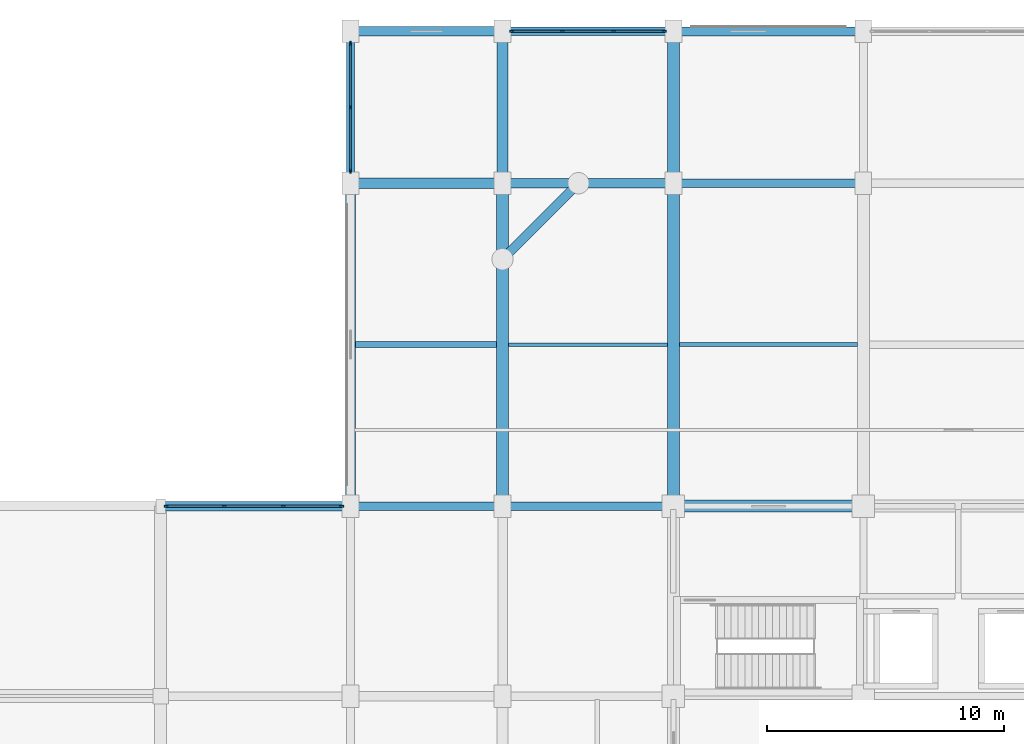
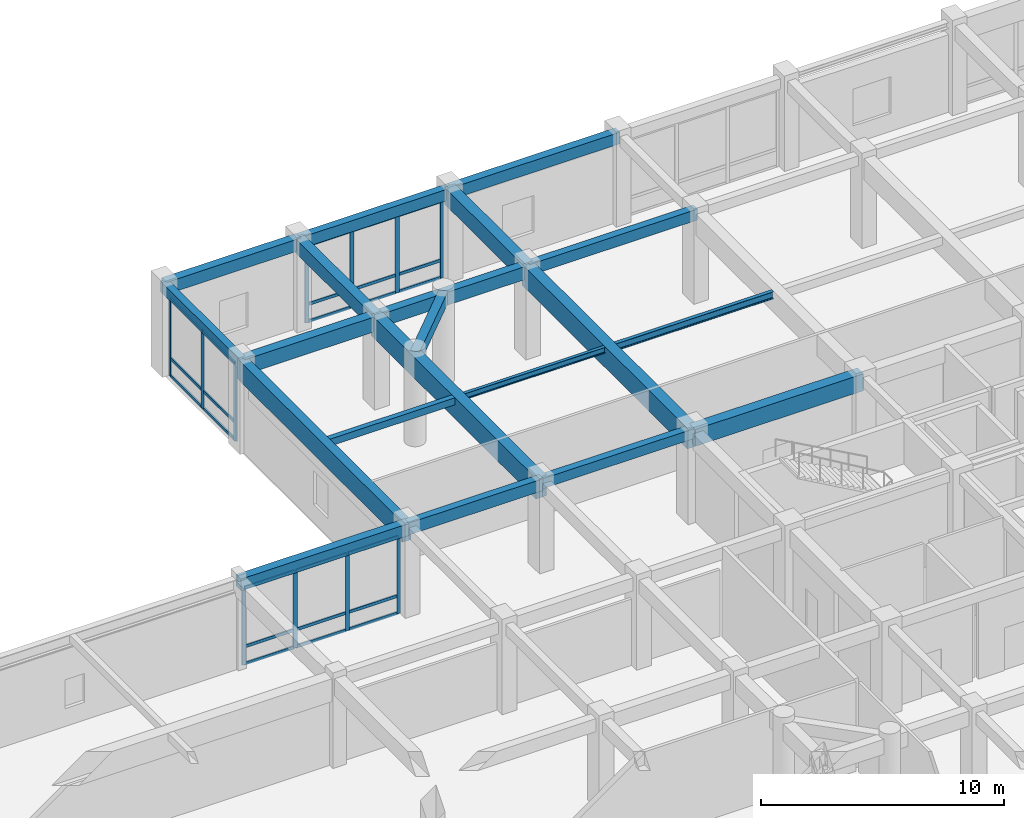
# One storey, part 24 of 61: 35 members, 20 beams, 3 elements without a shape of their own.
"""IFC4 building model written with IfcOpenShell, lengths in metres."""

from ifc_helpers import new_model, si_unit, direction, frame, origin, origin_2d, place, context, subcontext, project, spatial, rectangle, i_section, extrude, material, material_profile, profile_set, type_object, element, aggregate, save


model = new_model("IFC4")

# Units and contexts
model_context = context("Model", 3, precision=1e-05, world=origin(), true_north=direction((0.0, 1.0)))
body_context = subcontext(model_context, "Body", "Model", "MODEL_VIEW")
ifc_project = project(units=[si_unit("LENGTHUNIT", "METRE"), si_unit("AREAUNIT", "SQUARE_METRE"), si_unit("VOLUMEUNIT", "CUBIC_METRE"), si_unit("PLANEANGLEUNIT", "RADIAN"), si_unit("MASSUNIT", "GRAM", prefix="KILO")], contexts=[model_context])

# Site, building, storey
site_placement = place(None, origin())
site = spatial("IfcSite", under=ifc_project, at=site_placement, CompositionType="ELEMENT")
building_placement = place(site_placement, origin())
building = spatial("IfcBuilding", under=site, at=building_placement, Name="Vellmiral Cinema and Media Centre", CompositionType="ELEMENT")
storey_placement = place(building_placement, frame((0.0, 0.0, 10.800048828125)))
storey = spatial("IfcBuildingStorey", under=building, at=storey_placement, Name="L02", CompositionType="ELEMENT", Elevation=10.800048828125)

# Beams
ifc_material_1 = material(Name="Concrete C40/50", Category="concrete")
ifc_material_profile_1 = material_profile(ifc_material_1, rectangle(XDim=0.35009765625, YDim=0.5, at=origin_2d()), Name="RC 350x500")
ifc_profile_set_1 = profile_set([ifc_material_profile_1], Name="Concrete C40/50")
beam_type_1 = type_object("IfcBeamType", Name="BM-RC-350x500", PredefinedType="BEAM", material=ifc_profile_set_1)
beam_1_placement = place(storey_placement, frame((116.800048828125, 95.199951171875, 4.244873046875), z_axis=(1.0, 0.0, 0.0), x_axis=(0.0, 1.0, 0.0)))
element("IfcBeam", 1, at=beam_1_placement, inside=storey, type_object=beam_type_1, Name="Grid Beam L02-X080", PredefinedType="BEAM", context=body_context, shape_type="SweptSolid", body=[
    extrude(rectangle(XDim=0.35009765625, YDim=0.5, at=origin_2d()), origin(), (0.0, 0.0, 1.0), 7.199951171875),
])
ifc_material_2 = material(Name="Concrete C40/50", Category="concrete")
ifc_material_profile_2 = material_profile(ifc_material_2, rectangle(XDim=0.35009765625, YDim=0.550048828125, at=origin_2d()), Name="RC 350x550")
ifc_profile_set_2 = profile_set([ifc_material_profile_2], Name="Concrete C40/50")
beam_type_2 = type_object("IfcBeamType", Name="BM-RC-350x550", PredefinedType="BEAM", material=ifc_profile_set_2)
beam_2_placement = place(storey_placement, frame((124.0, 108.800048828125, 4.219970703125), z_axis=(1.0, 0.0, 0.0), x_axis=(0.0, 1.0, 0.0)))
element("IfcBeam", 2, at=beam_2_placement, inside=storey, type_object=beam_type_2, Name="Grid Beam L02-X088", PredefinedType="BEAM", context=body_context, shape_type="SweptSolid", body=[
    extrude(rectangle(XDim=0.35009765625, YDim=0.550048828125, at=origin_2d()), origin(), (0.0, 0.0, 1.0), 8.0),
])
ifc_material_3 = material(Name="Concrete C40/50", Category="concrete")
ifc_material_profile_3 = material_profile(ifc_material_3, rectangle(XDim=0.35009765625, YDim=0.60009765625, at=origin_2d()), Name="RC 350x600")
ifc_profile_set_3 = profile_set([ifc_material_profile_3], Name="Concrete C40/50")
beam_type_3 = type_object("IfcBeamType", Name="BM-RC-350x600", PredefinedType="BEAM", material=ifc_profile_set_3)
beam_3_placement = place(storey_placement, frame((110.39990234375, 95.199951171875, 4.195068359375), z_axis=(1.0, 0.0, 0.0), x_axis=(0.0, 1.0, 0.0)))
element("IfcBeam", 3, at=beam_3_placement, inside=storey, type_object=beam_type_3, Name="Grid Beam L02-X079", PredefinedType="BEAM", context=body_context, shape_type="SweptSolid", body=[
    extrude(rectangle(XDim=0.35009765625, YDim=0.60009765625, at=origin_2d()), origin(), (0.0, 0.0, 1.0), 6.400146484375),
])
ifc_material_4 = material(Name="Concrete C40/50", Category="concrete")
ifc_material_profile_4 = material_profile(ifc_material_4, rectangle(XDim=0.39990234375, YDim=0.64990234375, at=origin_2d()), Name="RC 400x650")
ifc_profile_set_4 = profile_set([ifc_material_profile_4], Name="Concrete C40/50")
beam_type_4 = type_object("IfcBeamType", Name="BM-RC-400x650", PredefinedType="BEAM", material=ifc_profile_set_4)
beam_4_placement = place(storey_placement, frame((116.800048828125, 108.800048828125, 4.169921875), z_axis=(1.0, 0.0, 0.0), x_axis=(0.0, 1.0, 0.0)))
element("IfcBeam", 4, at=beam_4_placement, inside=storey, type_object=beam_type_4, Name="Grid Beam L02-X087", PredefinedType="BEAM", context=body_context, shape_type="SweptSolid", body=[
    extrude(rectangle(XDim=0.39990234375, YDim=0.64990234375, at=origin_2d()), origin(), (0.0, 0.0, 1.0), 7.199951171875),
])
ifc_material_5 = material(Name="Concrete C40/50", Category="concrete")
ifc_material_profile_5 = material_profile(ifc_material_5, rectangle(XDim=0.449951171875, YDim=0.699951171875, at=origin_2d()), Name="RC 450x700")
ifc_profile_set_5 = profile_set([ifc_material_profile_5], Name="Concrete C40/50")
beam_type_5 = type_object("IfcBeamType", Name="BM-RC-450x700", PredefinedType="BEAM", material=ifc_profile_set_5)
beam_5_placement = place(storey_placement, frame((116.800048828125, 108.800048828125, 4.14501953125), z_axis=(0.0, 1.0, 0.0), x_axis=(-1.0, 0.0, 0.0)))
element("IfcBeam", 5, at=beam_5_placement, inside=storey, type_object=beam_type_5, Name="Grid Beam L02-Y153", PredefinedType="BEAM", context=body_context, shape_type="SweptSolid", body=[
    extrude(rectangle(XDim=0.449951171875, YDim=0.699951171875, at=origin_2d()), origin(), (0.0, 0.0, 1.0), 6.39990234375),
])
ifc_material_6 = material(Name="Concrete C40/50", Category="concrete")
ifc_material_profile_6 = material_profile(ifc_material_6, rectangle(XDim=0.449951171875, YDim=0.75, at=origin_2d()), Name="RC 450x750")
ifc_profile_set_6 = profile_set([ifc_material_profile_6], Name="Concrete C40/50")
beam_type_6 = type_object("IfcBeamType", Name="BM-RC-450x750", PredefinedType="BEAM", material=ifc_profile_set_6)
beam_6_placement = place(storey_placement, frame((110.39990234375, 108.800048828125, 4.119873046875), z_axis=(1.0, 0.0, 0.0), x_axis=(0.0, 1.0, 0.0)))
element("IfcBeam", 6, at=beam_6_placement, inside=storey, type_object=beam_type_6, Name="Grid Beam L02-X086", PredefinedType="BEAM", context=body_context, shape_type="SweptSolid", body=[
    extrude(rectangle(XDim=0.449951171875, YDim=0.75, at=origin_2d()), origin(), (0.0, 0.0, 1.0), 6.400146484375),
])
ifc_material_7 = material(Name="Concrete C40/50", Category="concrete")
ifc_material_profile_7 = material_profile(ifc_material_7, rectangle(XDim=0.5, YDim=0.85009765625, at=origin_2d()), Name="RC 500x850")
ifc_profile_set_7 = profile_set([ifc_material_profile_7], Name="Concrete C40/50")
beam_type_7 = type_object("IfcBeamType", Name="BM-RC-500x850", PredefinedType="BEAM", material=ifc_profile_set_7)
beam_7_placement = place(storey_placement, frame((124.0, 95.199951171875, 4.070068359375), z_axis=(1.0, 0.0, 0.0), x_axis=(0.0, 1.0, 0.0)))
element("IfcBeam", 7, at=beam_7_placement, inside=storey, type_object=beam_type_7, Name="Grid Beam L02-X081", PredefinedType="BEAM", context=body_context, shape_type="SweptSolid", body=[
    extrude(rectangle(XDim=0.5, YDim=0.85009765625, at=origin_2d()), origin(), (0.0, 0.0, 1.0), 8.0),
])
beam_8_placement = place(storey_placement, frame((124.0, 108.800048828125, 4.070068359375), z_axis=(0.0, 1.0, 0.0), x_axis=(-1.0, 0.0, 0.0)))
element("IfcBeam", 8, at=beam_8_placement, inside=storey, type_object=beam_type_7, Name="Grid Beam L02-Y161", PredefinedType="BEAM", context=body_context, shape_type="SweptSolid", body=[
    extrude(rectangle(XDim=0.5, YDim=0.85009765625, at=origin_2d()), origin(), (0.0, 0.0, 1.0), 6.39990234375),
])
ifc_material_8 = material(Name="Concrete C40/50", Category="concrete")
ifc_material_profile_8 = material_profile(ifc_material_8, rectangle(XDim=0.5, YDim=1.050048828125, at=origin_2d()), Name="RC 500x1050")
ifc_profile_set_8 = profile_set([ifc_material_profile_8], Name="Concrete C40/50")
beam_type_8 = type_object("IfcBeamType", Name="BM-RCG-500x1050", PredefinedType="BEAM", material=ifc_profile_set_8)
for number, where, z_axis, x_axis, name in (
    (9, (116.800048828125, 95.199951171875, 3.969970703125), (0.0, 1.0, 0.0), (-1.0, 0.0, 0.0), "Grid Beam L02-Y152"),
    (10, (124.0, 95.199951171875, 3.969970703125), (0.0, 1.0, 0.0), (-1.0, 0.0, 0.0), "Grid Beam L02-Y160"),
):
    element("IfcBeam", number, at=place(storey_placement, frame(where, z_axis=z_axis, x_axis=x_axis)), inside=storey, type_object=beam_type_8, Name=name, PredefinedType="BEAM", context=body_context, shape_type="SweptSolid", body=[
        extrude(rectangle(XDim=0.5, YDim=1.050048828125, at=origin_2d()), origin(), (0.0, 0.0, 1.0), 13.60009765625),
    ])

# Curtain wall, members
ifc_material_9 = material(Name="Thermally Broken Aluminium and Triple Glazing", Category="aluminium")
curtain_wall_type = type_object("IfcCurtainWallType", Name="CW-LIB-BAY", PredefinedType="USERDEFINED", material=ifc_material_9)
curtain_wall_1_placement = place(storey_placement, origin())
curtain_wall_1 = element("IfcCurtainWall", 11, at=curtain_wall_1_placement, inside=storey, type_object=curtain_wall_type, Name="Curtain Wall L02-B057", ObjectType="STICK CURTAIN WALL", PredefinedType="USERDEFINED")
ifc_material_10 = material(Name="Thermally Broken Anodised Aluminium", Category="aluminium")
ifc_material_profile_9 = material_profile(ifc_material_10, rectangle(XDim=0.070068359375, YDim=0.179931640625, at=origin_2d()), Name="MULL 70x180")
ifc_profile_set_9 = profile_set([ifc_material_profile_9], Name="Thermally Broken Anodised Aluminium")
member_type_1 = type_object("IfcMemberType", Name="CWM-70x180", PredefinedType="MULLION", material=ifc_profile_set_9)
member_1_placement = place(storey_placement, frame((123.614990234375, 115.199951171875, 0.0), z_axis=(0.0, 0.0, 1.0), x_axis=(0.0, -1.0, 0.0)))
member_1 = element("IfcMember", 12, at=member_1_placement, type_object=member_type_1, Name="CW-03 mullion 1", PredefinedType="MULLION", context=body_context, shape_type="SweptSolid", body=[
    extrude(rectangle(XDim=0.070068359375, YDim=0.179931640625, at=origin_2d()), origin(), (0.0, 0.0, 1.0), 3.89990234375),
])
member_2_placement = place(storey_placement, frame((121.4833984375, 115.199951171875, 0.0), z_axis=(0.0, 0.0, 1.0), x_axis=(0.0, -1.0, 0.0)))
member_2 = element("IfcMember", 13, at=member_2_placement, type_object=member_type_1, Name="CW-03 mullion 2", PredefinedType="MULLION", context=body_context, shape_type="SweptSolid", body=[
    extrude(rectangle(XDim=0.070068359375, YDim=0.179931640625, at=origin_2d()), origin(), (0.0, 0.0, 1.0), 3.89990234375),
])
member_3_placement = place(storey_placement, frame((119.316650390625, 115.199951171875, 0.0), z_axis=(0.0, 0.0, 1.0), x_axis=(0.0, -1.0, 0.0)))
member_3 = element("IfcMember", 14, at=member_3_placement, type_object=member_type_1, Name="CW-03 mullion 3", PredefinedType="MULLION", context=body_context, shape_type="SweptSolid", body=[
    extrude(rectangle(XDim=0.070068359375, YDim=0.179931640625, at=origin_2d()), origin(), (0.0, 0.0, 1.0), 3.89990234375),
])
member_4_placement = place(storey_placement, frame((117.18505859375, 115.199951171875, 0.0), z_axis=(0.0, 0.0, 1.0), x_axis=(0.0, -1.0, 0.0)))
member_4 = element("IfcMember", 15, at=member_4_placement, type_object=member_type_1, Name="CW-03 mullion 4", PredefinedType="MULLION", context=body_context, shape_type="SweptSolid", body=[
    extrude(rectangle(XDim=0.070068359375, YDim=0.179931640625, at=origin_2d()), origin(), (0.0, 0.0, 1.0), 3.89990234375),
])

curtain_wall_2_placement = place(storey_placement, origin())
curtain_wall_2 = element("IfcCurtainWall", 16, at=curtain_wall_2_placement, inside=storey, type_object=curtain_wall_type, Name="Curtain Wall L02-B059", ObjectType="STICK CURTAIN WALL", PredefinedType="USERDEFINED")
member_5_placement = place(storey_placement, frame((110.39990234375, 114.68994140625, 0.0), z_axis=(0.0, 0.0, 1.0), x_axis=(1.0, 0.0, 0.0)))
member_5 = element("IfcMember", 17, at=member_5_placement, type_object=member_type_1, Name="CW-03 mullion 1", PredefinedType="MULLION", context=body_context, shape_type="SweptSolid", body=[
    extrude(rectangle(XDim=0.070068359375, YDim=0.179931640625, at=origin_2d()), origin(), (0.0, 0.0, 1.0), 3.89990234375),
])
member_6_placement = place(storey_placement, frame((110.39990234375, 112.0, 0.0), z_axis=(0.0, 0.0, 1.0), x_axis=(1.0, 0.0, 0.0)))
member_6 = element("IfcMember", 18, at=member_6_placement, type_object=member_type_1, Name="CW-03 mullion 2", PredefinedType="MULLION", context=body_context, shape_type="SweptSolid", body=[
    extrude(rectangle(XDim=0.070068359375, YDim=0.179931640625, at=origin_2d()), origin(), (0.0, 0.0, 1.0), 3.89990234375),
])
member_7_placement = place(storey_placement, frame((110.39990234375, 109.31005859375, 0.0), z_axis=(0.0, 0.0, 1.0), x_axis=(1.0, 0.0, 0.0)))
member_7 = element("IfcMember", 19, at=member_7_placement, type_object=member_type_1, Name="CW-03 mullion 3", PredefinedType="MULLION", context=body_context, shape_type="SweptSolid", body=[
    extrude(rectangle(XDim=0.070068359375, YDim=0.179931640625, at=origin_2d()), origin(), (0.0, 0.0, 1.0), 3.89990234375),
])

curtain_wall_3_placement = place(storey_placement, origin())
curtain_wall_3 = element("IfcCurtainWall", 20, at=curtain_wall_3_placement, inside=storey, type_object=curtain_wall_type, Name="Curtain Wall L02-B061", ObjectType="STICK CURTAIN WALL", PredefinedType="USERDEFINED")
member_8_placement = place(storey_placement, frame((110.014892578125, 95.199951171875, 0.0), z_axis=(0.0, 0.0, 1.0), x_axis=(0.0, -1.0, 0.0)))
member_8 = element("IfcMember", 21, at=member_8_placement, type_object=member_type_1, Name="CW-03 mullion 1", PredefinedType="MULLION", context=body_context, shape_type="SweptSolid", body=[
    extrude(rectangle(XDim=0.070068359375, YDim=0.179931640625, at=origin_2d()), origin(), (0.0, 0.0, 1.0), 3.885009765625),
])
member_9_placement = place(storey_placement, frame((107.566650390625, 95.199951171875, 0.0), z_axis=(0.0, 0.0, 1.0), x_axis=(0.0, -1.0, 0.0)))
member_9 = element("IfcMember", 22, at=member_9_placement, type_object=member_type_1, Name="CW-03 mullion 2", PredefinedType="MULLION", context=body_context, shape_type="SweptSolid", body=[
    extrude(rectangle(XDim=0.070068359375, YDim=0.179931640625, at=origin_2d()), origin(), (0.0, 0.0, 1.0), 3.885009765625),
])
member_10_placement = place(storey_placement, frame((105.083251953125, 95.199951171875, 0.0), z_axis=(0.0, 0.0, 1.0), x_axis=(0.0, -1.0, 0.0)))
member_10 = element("IfcMember", 23, at=member_10_placement, type_object=member_type_1, Name="CW-03 mullion 3", PredefinedType="MULLION", context=body_context, shape_type="SweptSolid", body=[
    extrude(rectangle(XDim=0.070068359375, YDim=0.179931640625, at=origin_2d()), origin(), (0.0, 0.0, 1.0), 3.885009765625),
])
member_11_placement = place(storey_placement, frame((102.635009765625, 95.199951171875, 0.0), z_axis=(0.0, 0.0, 1.0), x_axis=(0.0, -1.0, 0.0)))
member_11 = element("IfcMember", 24, at=member_11_placement, type_object=member_type_1, Name="CW-03 mullion 4", PredefinedType="MULLION", context=body_context, shape_type="SweptSolid", body=[
    extrude(rectangle(XDim=0.070068359375, YDim=0.179931640625, at=origin_2d()), origin(), (0.0, 0.0, 1.0), 3.885009765625),
])

# Member
ifc_material_11 = material(Name="Thermally Broken Anodised Aluminium", Category="aluminium")
ifc_material_profile_10 = material_profile(ifc_material_11, rectangle(XDim=0.070068359375, YDim=0.14990234375, at=origin_2d()), Name="MULL 70x150")
ifc_profile_set_10 = profile_set([ifc_material_profile_10], Name="Thermally Broken Anodised Aluminium")
member_type_2 = type_object("IfcMemberType", Name="CWT-70x150", PredefinedType="USERDEFINED", material=ifc_profile_set_10)
member_12_placement = place(storey_placement, frame((123.580078125, 115.199951171875, 0.034912109375), z_axis=(-1.0, 0.0, 0.0), x_axis=(0.0, -1.0, 0.0)))
member_12 = element("IfcMember", 25, at=member_12_placement, type_object=member_type_2, Name="CW-03 transom 1.1", ObjectType="TRANSOM", PredefinedType="USERDEFINED", context=body_context, shape_type="SweptSolid", body=[
    extrude(rectangle(XDim=0.070068359375, YDim=0.14990234375, at=origin_2d()), origin(), (0.0, 0.0, 1.0), 2.061767578125),
])

member_13_placement = place(storey_placement, frame((123.580078125, 115.199951171875, 0.89990234375), z_axis=(-1.0, 0.0, 0.0), x_axis=(0.0, -1.0, 0.0)))
member_13 = element("IfcMember", 26, at=member_13_placement, type_object=member_type_2, Name="CW-03 transom 1.2", ObjectType="TRANSOM", PredefinedType="USERDEFINED", context=body_context, shape_type="SweptSolid", body=[
    extrude(rectangle(XDim=0.070068359375, YDim=0.14990234375, at=origin_2d()), origin(), (0.0, 0.0, 1.0), 2.061767578125),
])

member_14_placement = place(storey_placement, frame((123.580078125, 115.199951171875, 3.864990234375), z_axis=(-1.0, 0.0, 0.0), x_axis=(0.0, -1.0, 0.0)))
member_14 = element("IfcMember", 27, at=member_14_placement, type_object=member_type_2, Name="CW-03 transom 1.3", ObjectType="TRANSOM", PredefinedType="USERDEFINED", context=body_context, shape_type="SweptSolid", body=[
    extrude(rectangle(XDim=0.070068359375, YDim=0.14990234375, at=origin_2d()), origin(), (0.0, 0.0, 1.0), 2.061767578125),
])

member_15_placement = place(storey_placement, frame((121.4482421875, 115.199951171875, 0.034912109375), z_axis=(-1.0, 0.0, 0.0), x_axis=(0.0, -1.0, 0.0)))
member_15 = element("IfcMember", 28, at=member_15_placement, type_object=member_type_2, Name="CW-03 transom 2.1", ObjectType="TRANSOM", PredefinedType="USERDEFINED", context=body_context, shape_type="SweptSolid", body=[
    extrude(rectangle(XDim=0.070068359375, YDim=0.14990234375, at=origin_2d()), origin(), (0.0, 0.0, 1.0), 2.0966796875),
])

member_16_placement = place(storey_placement, frame((121.4482421875, 115.199951171875, 0.89990234375), z_axis=(-1.0, 0.0, 0.0), x_axis=(0.0, -1.0, 0.0)))
member_16 = element("IfcMember", 29, at=member_16_placement, type_object=member_type_2, Name="CW-03 transom 2.2", ObjectType="TRANSOM", PredefinedType="USERDEFINED", context=body_context, shape_type="SweptSolid", body=[
    extrude(rectangle(XDim=0.070068359375, YDim=0.14990234375, at=origin_2d()), origin(), (0.0, 0.0, 1.0), 2.0966796875),
])

member_17_placement = place(storey_placement, frame((121.4482421875, 115.199951171875, 3.864990234375), z_axis=(-1.0, 0.0, 0.0), x_axis=(0.0, -1.0, 0.0)))
member_17 = element("IfcMember", 30, at=member_17_placement, type_object=member_type_2, Name="CW-03 transom 2.3", ObjectType="TRANSOM", PredefinedType="USERDEFINED", context=body_context, shape_type="SweptSolid", body=[
    extrude(rectangle(XDim=0.070068359375, YDim=0.14990234375, at=origin_2d()), origin(), (0.0, 0.0, 1.0), 2.0966796875),
])

member_18_placement = place(storey_placement, frame((119.28173828125, 115.199951171875, 0.034912109375), z_axis=(-1.0, 0.0, 0.0), x_axis=(0.0, -1.0, 0.0)))
member_18 = element("IfcMember", 31, at=member_18_placement, type_object=member_type_2, Name="CW-03 transom 3.1", ObjectType="TRANSOM", PredefinedType="USERDEFINED", context=body_context, shape_type="SweptSolid", body=[
    extrude(rectangle(XDim=0.070068359375, YDim=0.14990234375, at=origin_2d()), origin(), (0.0, 0.0, 1.0), 2.061767578125),
])

member_19_placement = place(storey_placement, frame((119.28173828125, 115.199951171875, 0.89990234375), z_axis=(-1.0, 0.0, 0.0), x_axis=(0.0, -1.0, 0.0)))
member_19 = element("IfcMember", 32, at=member_19_placement, type_object=member_type_2, Name="CW-03 transom 3.2", ObjectType="TRANSOM", PredefinedType="USERDEFINED", context=body_context, shape_type="SweptSolid", body=[
    extrude(rectangle(XDim=0.070068359375, YDim=0.14990234375, at=origin_2d()), origin(), (0.0, 0.0, 1.0), 2.061767578125),
])

member_20_placement = place(storey_placement, frame((119.28173828125, 115.199951171875, 3.864990234375), z_axis=(-1.0, 0.0, 0.0), x_axis=(0.0, -1.0, 0.0)))
member_20 = element("IfcMember", 33, at=member_20_placement, type_object=member_type_2, Name="CW-03 transom 3.3", ObjectType="TRANSOM", PredefinedType="USERDEFINED", context=body_context, shape_type="SweptSolid", body=[
    extrude(rectangle(XDim=0.070068359375, YDim=0.14990234375, at=origin_2d()), origin(), (0.0, 0.0, 1.0), 2.061767578125),
])

aggregate(curtain_wall_1, [member_1, member_2, member_3, member_4, member_12, member_13, member_14, member_15, member_16, member_17, member_18, member_19, member_20])

member_21_placement = place(storey_placement, frame((110.39990234375, 114.655029296875, 0.034912109375), z_axis=(0.0, -1.0, 0.0), x_axis=(1.0, 0.0, 0.0)))
member_21 = element("IfcMember", 34, at=member_21_placement, type_object=member_type_2, Name="CW-03 transom 1.1", ObjectType="TRANSOM", PredefinedType="USERDEFINED", context=body_context, shape_type="SweptSolid", body=[
    extrude(rectangle(XDim=0.070068359375, YDim=0.14990234375, at=origin_2d()), origin(), (0.0, 0.0, 1.0), 2.6201171875),
])

member_22_placement = place(storey_placement, frame((110.39990234375, 114.655029296875, 0.89990234375), z_axis=(0.0, -1.0, 0.0), x_axis=(1.0, 0.0, 0.0)))
member_22 = element("IfcMember", 35, at=member_22_placement, type_object=member_type_2, Name="CW-03 transom 1.2", ObjectType="TRANSOM", PredefinedType="USERDEFINED", context=body_context, shape_type="SweptSolid", body=[
    extrude(rectangle(XDim=0.070068359375, YDim=0.14990234375, at=origin_2d()), origin(), (0.0, 0.0, 1.0), 2.6201171875),
])

member_23_placement = place(storey_placement, frame((110.39990234375, 114.655029296875, 3.864990234375), z_axis=(0.0, -1.0, 0.0), x_axis=(1.0, 0.0, 0.0)))
member_23 = element("IfcMember", 36, at=member_23_placement, type_object=member_type_2, Name="CW-03 transom 1.3", ObjectType="TRANSOM", PredefinedType="USERDEFINED", context=body_context, shape_type="SweptSolid", body=[
    extrude(rectangle(XDim=0.070068359375, YDim=0.14990234375, at=origin_2d()), origin(), (0.0, 0.0, 1.0), 2.6201171875),
])

member_24_placement = place(storey_placement, frame((110.39990234375, 111.965087890625, 0.034912109375), z_axis=(0.0, -1.0, 0.0), x_axis=(1.0, 0.0, 0.0)))
member_24 = element("IfcMember", 37, at=member_24_placement, type_object=member_type_2, Name="CW-03 transom 2.1", ObjectType="TRANSOM", PredefinedType="USERDEFINED", context=body_context, shape_type="SweptSolid", body=[
    extrude(rectangle(XDim=0.070068359375, YDim=0.14990234375, at=origin_2d()), origin(), (0.0, 0.0, 1.0), 2.6201171875),
])

member_25_placement = place(storey_placement, frame((110.39990234375, 111.965087890625, 0.89990234375), z_axis=(0.0, -1.0, 0.0), x_axis=(1.0, 0.0, 0.0)))
member_25 = element("IfcMember", 38, at=member_25_placement, type_object=member_type_2, Name="CW-03 transom 2.2", ObjectType="TRANSOM", PredefinedType="USERDEFINED", context=body_context, shape_type="SweptSolid", body=[
    extrude(rectangle(XDim=0.070068359375, YDim=0.14990234375, at=origin_2d()), origin(), (0.0, 0.0, 1.0), 2.6201171875),
])

member_26_placement = place(storey_placement, frame((110.39990234375, 111.965087890625, 3.864990234375), z_axis=(0.0, -1.0, 0.0), x_axis=(1.0, 0.0, 0.0)))
member_26 = element("IfcMember", 39, at=member_26_placement, type_object=member_type_2, Name="CW-03 transom 2.3", ObjectType="TRANSOM", PredefinedType="USERDEFINED", context=body_context, shape_type="SweptSolid", body=[
    extrude(rectangle(XDim=0.070068359375, YDim=0.14990234375, at=origin_2d()), origin(), (0.0, 0.0, 1.0), 2.6201171875),
])

aggregate(curtain_wall_2, [member_5, member_6, member_7, member_21, member_22, member_23, member_24, member_25, member_26])

member_27_placement = place(storey_placement, frame((109.97998046875, 95.199951171875, 0.034912109375), z_axis=(-1.0, 0.0, 0.0), x_axis=(0.0, -1.0, 0.0)))
member_27 = element("IfcMember", 40, at=member_27_placement, type_object=member_type_2, Name="CW-03 transom 1.1", ObjectType="TRANSOM", PredefinedType="USERDEFINED", context=body_context, shape_type="SweptSolid", body=[
    extrude(rectangle(XDim=0.070068359375, YDim=0.14990234375, at=origin_2d()), origin(), (0.0, 0.0, 1.0), 2.37841796875),
])

member_28_placement = place(storey_placement, frame((109.97998046875, 95.199951171875, 0.89990234375), z_axis=(-1.0, 0.0, 0.0), x_axis=(0.0, -1.0, 0.0)))
member_28 = element("IfcMember", 41, at=member_28_placement, type_object=member_type_2, Name="CW-03 transom 1.2", ObjectType="TRANSOM", PredefinedType="USERDEFINED", context=body_context, shape_type="SweptSolid", body=[
    extrude(rectangle(XDim=0.070068359375, YDim=0.14990234375, at=origin_2d()), origin(), (0.0, 0.0, 1.0), 2.37841796875),
])

member_29_placement = place(storey_placement, frame((109.97998046875, 95.199951171875, 3.849853515625), z_axis=(-1.0, 0.0, 0.0), x_axis=(0.0, -1.0, 0.0)))
member_29 = element("IfcMember", 42, at=member_29_placement, type_object=member_type_2, Name="CW-03 transom 1.3", ObjectType="TRANSOM", PredefinedType="USERDEFINED", context=body_context, shape_type="SweptSolid", body=[
    extrude(rectangle(XDim=0.070068359375, YDim=0.14990234375, at=origin_2d()), origin(), (0.0, 0.0, 1.0), 2.37841796875),
])

member_30_placement = place(storey_placement, frame((107.53173828125, 95.199951171875, 0.034912109375), z_axis=(-1.0, 0.0, 0.0), x_axis=(0.0, -1.0, 0.0)))
member_30 = element("IfcMember", 43, at=member_30_placement, type_object=member_type_2, Name="CW-03 transom 2.1", ObjectType="TRANSOM", PredefinedType="USERDEFINED", context=body_context, shape_type="SweptSolid", body=[
    extrude(rectangle(XDim=0.070068359375, YDim=0.14990234375, at=origin_2d()), origin(), (0.0, 0.0, 1.0), 2.413330078125),
])

member_31_placement = place(storey_placement, frame((107.53173828125, 95.199951171875, 0.89990234375), z_axis=(-1.0, 0.0, 0.0), x_axis=(0.0, -1.0, 0.0)))
member_31 = element("IfcMember", 44, at=member_31_placement, type_object=member_type_2, Name="CW-03 transom 2.2", ObjectType="TRANSOM", PredefinedType="USERDEFINED", context=body_context, shape_type="SweptSolid", body=[
    extrude(rectangle(XDim=0.070068359375, YDim=0.14990234375, at=origin_2d()), origin(), (0.0, 0.0, 1.0), 2.413330078125),
])

member_32_placement = place(storey_placement, frame((107.53173828125, 95.199951171875, 3.849853515625), z_axis=(-1.0, 0.0, 0.0), x_axis=(0.0, -1.0, 0.0)))
member_32 = element("IfcMember", 45, at=member_32_placement, type_object=member_type_2, Name="CW-03 transom 2.3", ObjectType="TRANSOM", PredefinedType="USERDEFINED", context=body_context, shape_type="SweptSolid", body=[
    extrude(rectangle(XDim=0.070068359375, YDim=0.14990234375, at=origin_2d()), origin(), (0.0, 0.0, 1.0), 2.413330078125),
])

member_33_placement = place(storey_placement, frame((105.04833984375, 95.199951171875, 0.034912109375), z_axis=(-1.0, 0.0, 0.0), x_axis=(0.0, -1.0, 0.0)))
member_33 = element("IfcMember", 46, at=member_33_placement, type_object=member_type_2, Name="CW-03 transom 3.1", ObjectType="TRANSOM", PredefinedType="USERDEFINED", context=body_context, shape_type="SweptSolid", body=[
    extrude(rectangle(XDim=0.070068359375, YDim=0.14990234375, at=origin_2d()), origin(), (0.0, 0.0, 1.0), 2.37841796875),
])

member_34_placement = place(storey_placement, frame((105.04833984375, 95.199951171875, 0.89990234375), z_axis=(-1.0, 0.0, 0.0), x_axis=(0.0, -1.0, 0.0)))
member_34 = element("IfcMember", 47, at=member_34_placement, type_object=member_type_2, Name="CW-03 transom 3.2", ObjectType="TRANSOM", PredefinedType="USERDEFINED", context=body_context, shape_type="SweptSolid", body=[
    extrude(rectangle(XDim=0.070068359375, YDim=0.14990234375, at=origin_2d()), origin(), (0.0, 0.0, 1.0), 2.37841796875),
])

member_35_placement = place(storey_placement, frame((105.04833984375, 95.199951171875, 3.849853515625), z_axis=(-1.0, 0.0, 0.0), x_axis=(0.0, -1.0, 0.0)))
member_35 = element("IfcMember", 48, at=member_35_placement, type_object=member_type_2, Name="CW-03 transom 3.3", ObjectType="TRANSOM", PredefinedType="USERDEFINED", context=body_context, shape_type="SweptSolid", body=[
    extrude(rectangle(XDim=0.070068359375, YDim=0.14990234375, at=origin_2d()), origin(), (0.0, 0.0, 1.0), 2.37841796875),
])

aggregate(curtain_wall_3, [member_8, member_9, member_10, member_11, member_27, member_28, member_29, member_30, member_31, member_32, member_33, member_34, member_35])

# Beams
ifc_material_12 = material(Name="Concrete C40/50", Category="concrete")
ifc_material_profile_11 = material_profile(ifc_material_12, rectangle(XDim=0.25, YDim=0.35009765625, at=origin_2d()), Name="RC 250x350")
ifc_profile_set_11 = profile_set([ifc_material_profile_11], Name="Concrete C40/50")
beam_type_9 = type_object("IfcBeamType", Name="JST-RC-250x350", PredefinedType="JOIST", material=ifc_profile_set_11)
beam_9_placement = place(storey_placement, frame((110.610107421875, 102.0, 4.320068359375), z_axis=(1.0, 0.0, 0.0), x_axis=(0.0, 1.0, 0.0)))
element("IfcBeam", 49, at=beam_9_placement, inside=storey, type_object=beam_type_9, Name="Secondary Floor Joist L02-013", PredefinedType="JOIST", context=body_context, shape_type="SweptSolid", body=[
    extrude(rectangle(XDim=0.25, YDim=0.35009765625, at=origin_2d()), origin(), (0.0, 0.0, 1.0), 5.93994140625),
])
ifc_material_13 = material(Name="Steel S355", Category="steel")
ifc_material_profile_12 = material_profile(ifc_material_13, i_section(OverallWidth=0.14990234375, OverallDepth=0.300048828125, WebThickness=0.007080078125, FlangeThickness=0.0107421875, FilletRadius=0.014892578125, at=origin_2d()), Name="IPE 300")
ifc_profile_set_12 = profile_set([ifc_material_profile_12], Name="Steel S355")
beam_type_10 = type_object("IfcBeamType", Name="SBM-IPE300", PredefinedType="JOIST", material=ifc_profile_set_12)
beam_10_placement = place(storey_placement, frame((117.050048828125, 102.0, 4.344970703125), z_axis=(1.0, 0.0, 0.0), x_axis=(0.0, 1.0, 0.0)))
element("IfcBeam", 50, at=beam_10_placement, inside=storey, type_object=beam_type_10, Name="Secondary Floor Joist L02-014", PredefinedType="JOIST", context=body_context, shape_type="SweptSolid", body=[
    extrude(i_section(OverallWidth=0.14990234375, OverallDepth=0.300048828125, WebThickness=0.007080078125, FlangeThickness=0.0107421875, FilletRadius=0.014892578125, at=origin_2d()), origin(), (0.0, 0.0, 1.0), 6.699951171875),
])
ifc_material_14 = material(Name="Steel S355", Category="steel")
ifc_material_profile_13 = material_profile(ifc_material_14, i_section(OverallWidth=0.169921875, OverallDepth=0.360107421875, WebThickness=0.008056640625, FlangeThickness=0.0126953125, FilletRadius=0.01806640625, at=origin_2d()), Name="IPE 360")
ifc_profile_set_13 = profile_set([ifc_material_profile_13], Name="Steel S355")
beam_type_11 = type_object("IfcBeamType", Name="SBM-IPE360", PredefinedType="JOIST", material=ifc_profile_set_13)
beam_11_placement = place(storey_placement, frame((124.25, 102.0, 4.31494140625), z_axis=(1.0, 0.0, 0.0), x_axis=(0.0, 1.0, 0.0)))
element("IfcBeam", 51, at=beam_11_placement, inside=storey, type_object=beam_type_11, Name="Secondary Floor Joist L02-015", PredefinedType="JOIST", context=body_context, shape_type="SweptSolid", body=[
    extrude(i_section(OverallWidth=0.169921875, OverallDepth=0.360107421875, WebThickness=0.008056640625, FlangeThickness=0.0126953125, FilletRadius=0.01806640625, at=origin_2d()), origin(), (0.0, 0.0, 1.0), 7.5),
])
ifc_material_15 = material(Name="Concrete C40/50", Category="concrete")
ifc_material_profile_14 = material_profile(ifc_material_15, rectangle(XDim=0.35009765625, YDim=0.56005859375, at=origin_2d()), Name="RC 350x560")
ifc_profile_set_14 = profile_set([ifc_material_profile_14], Name="Concrete C40/50")
beam_type_12 = type_object("IfcBeamType", Name="SPD-RC-350x560", PredefinedType="SPANDREL", material=ifc_profile_set_14)
beam_12_placement = place(storey_placement, frame((116.800048828125, 115.199951171875, 4.21484375), z_axis=(1.0, 0.0, 0.0), x_axis=(0.0, 1.0, 0.0)))
element("IfcBeam", 52, at=beam_12_placement, inside=storey, type_object=beam_type_12, Name="Grid Beam L02-X094", PredefinedType="SPANDREL", context=body_context, shape_type="SweptSolid", body=[
    extrude(rectangle(XDim=0.35009765625, YDim=0.56005859375, at=origin_2d()), origin(), (0.0, 0.0, 1.0), 7.199951171875),
])
ifc_material_16 = material(Name="Concrete C40/50", Category="concrete")
ifc_material_profile_15 = material_profile(ifc_material_16, rectangle(XDim=0.39990234375, YDim=0.60009765625, at=origin_2d()), Name="RC 400x600")
ifc_profile_set_15 = profile_set([ifc_material_profile_15], Name="Concrete C40/50")
beam_type_13 = type_object("IfcBeamType", Name="SPD-RC-400x600", PredefinedType="SPANDREL", material=ifc_profile_set_15)
beam_13_placement = place(storey_placement, frame((102.39990234375, 95.199951171875, 4.195068359375), z_axis=(1.0, 0.0, 0.0), x_axis=(0.0, 1.0, 0.0)))
element("IfcBeam", 53, at=beam_13_placement, inside=storey, type_object=beam_type_13, Name="Grid Beam L02-X078", PredefinedType="SPANDREL", context=body_context, shape_type="SweptSolid", body=[
    extrude(rectangle(XDim=0.39990234375, YDim=0.60009765625, at=origin_2d()), origin(), (0.0, 0.0, 1.0), 8.0),
])
beam_14_placement = place(storey_placement, frame((110.39990234375, 115.199951171875, 4.195068359375), z_axis=(1.0, 0.0, 0.0), x_axis=(0.0, 1.0, 0.0)))
element("IfcBeam", 54, at=beam_14_placement, inside=storey, type_object=beam_type_13, Name="Grid Beam L02-X093", PredefinedType="SPANDREL", context=body_context, shape_type="SweptSolid", body=[
    extrude(rectangle(XDim=0.39990234375, YDim=0.60009765625, at=origin_2d()), origin(), (0.0, 0.0, 1.0), 6.400146484375),
])
beam_15_placement = place(storey_placement, frame((116.800048828125, 105.60009765625, 4.195068359375), z_axis=(0.707106781187, 0.707106781187, 0.0), x_axis=(-0.707106781187, 0.707106781187, 0.0)))
element("IfcBeam", 55, at=beam_15_placement, inside=storey, type_object=beam_type_13, Name="Xamfra Chamfer Spandrel Beam L02-199", PredefinedType="SPANDREL", context=body_context, shape_type="SweptSolid", body=[
    extrude(rectangle(XDim=0.39990234375, YDim=0.60009765625, at=origin_2d()), origin(), (0.0, 0.0, 1.0), 4.525390625),
])
ifc_material_17 = material(Name="Vosges Red Sandstone Masonry", Category="masonry")
ifc_material_profile_16 = material_profile(ifc_material_17, rectangle(XDim=0.340087890625, YDim=0.52001953125, at=origin_2d()), Name="SAND 340x520")
ifc_profile_set_16 = profile_set([ifc_material_profile_16], Name="Vosges Red Sandstone Masonry")
beam_type_14 = type_object("IfcBeamType", Name="SPD-SAND-340x520", PredefinedType="SPANDREL", material=ifc_profile_set_16)
beam_16_placement = place(storey_placement, frame((110.39990234375, 108.800048828125, 4.23486328125), z_axis=(0.0, 1.0, 0.0), x_axis=(-1.0, 0.0, 0.0)))
element("IfcBeam", 56, at=beam_16_placement, inside=storey, type_object=beam_type_14, Name="Grid Beam L02-Y146", PredefinedType="SPANDREL", context=body_context, shape_type="SweptSolid", body=[
    extrude(rectangle(XDim=0.340087890625, YDim=0.52001953125, at=origin_2d()), origin(), (0.0, 0.0, 1.0), 6.39990234375),
])
ifc_material_18 = material(Name="Vosges Red Sandstone Masonry", Category="masonry")
ifc_material_profile_17 = material_profile(ifc_material_18, rectangle(XDim=0.3798828125, YDim=0.580078125, at=origin_2d()), Name="SAND 380x580")
ifc_profile_set_17 = profile_set([ifc_material_profile_17], Name="Vosges Red Sandstone Masonry")
beam_type_15 = type_object("IfcBeamType", Name="SPD-SAND-380x580", PredefinedType="SPANDREL", material=ifc_profile_set_17)
beam_17_placement = place(storey_placement, frame((124.0, 115.199951171875, 4.204833984375), z_axis=(1.0, 0.0, 0.0), x_axis=(0.0, 1.0, 0.0)))
element("IfcBeam", 57, at=beam_17_placement, inside=storey, type_object=beam_type_15, Name="Grid Beam L02-X095", PredefinedType="SPANDREL", context=body_context, shape_type="SweptSolid", body=[
    extrude(rectangle(XDim=0.3798828125, YDim=0.580078125, at=origin_2d()), origin(), (0.0, 0.0, 1.0), 8.0),
])
ifc_material_19 = material(Name="Vosges Red Sandstone Masonry", Category="masonry")
ifc_material_profile_18 = material_profile(ifc_material_19, rectangle(XDim=0.419921875, YDim=1.0, at=origin_2d()), Name="SAND 420x1000")
ifc_profile_set_18 = profile_set([ifc_material_profile_18], Name="Vosges Red Sandstone Masonry")
beam_type_16 = type_object("IfcBeamType", Name="SPD-SANDG-420x1000", PredefinedType="SPANDREL", material=ifc_profile_set_18)
beam_18_placement = place(storey_placement, frame((110.39990234375, 95.199951171875, 3.994873046875), z_axis=(0.0, 1.0, 0.0), x_axis=(-1.0, 0.0, 0.0)))
element("IfcBeam", 58, at=beam_18_placement, inside=storey, type_object=beam_type_16, Name="Grid Beam L02-Y145", PredefinedType="SPANDREL", context=body_context, shape_type="SweptSolid", body=[
    extrude(rectangle(XDim=0.419921875, YDim=1.0, at=origin_2d()), origin(), (0.0, 0.0, 1.0), 13.60009765625),
])

save(model, "model.ifc")
